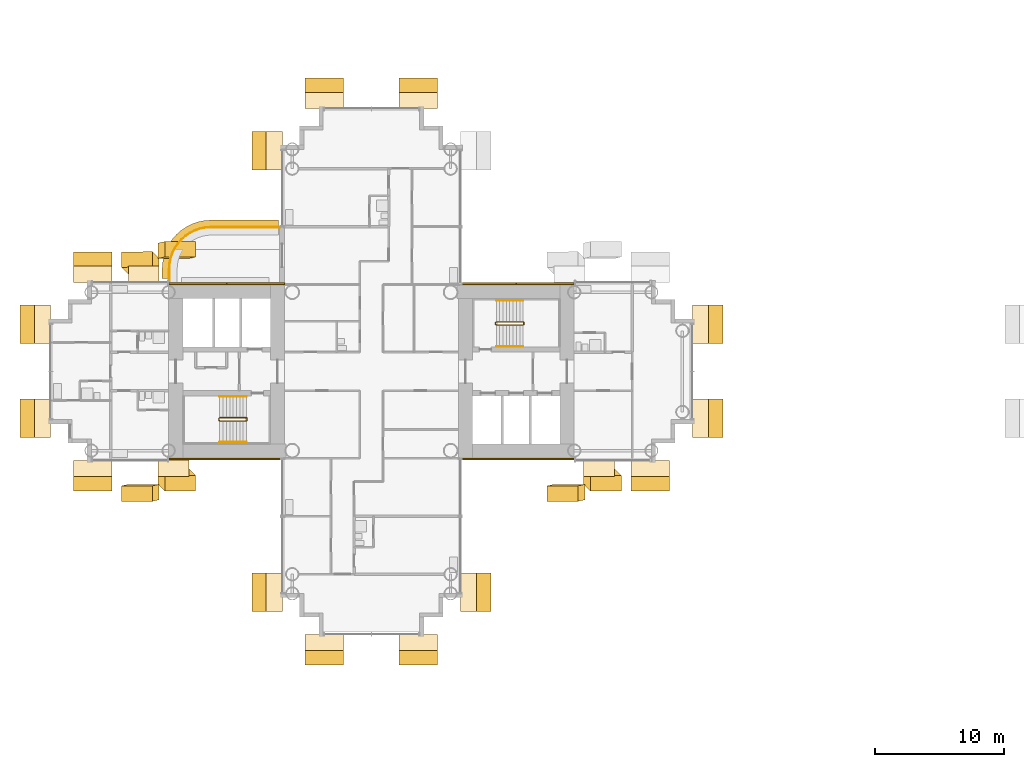
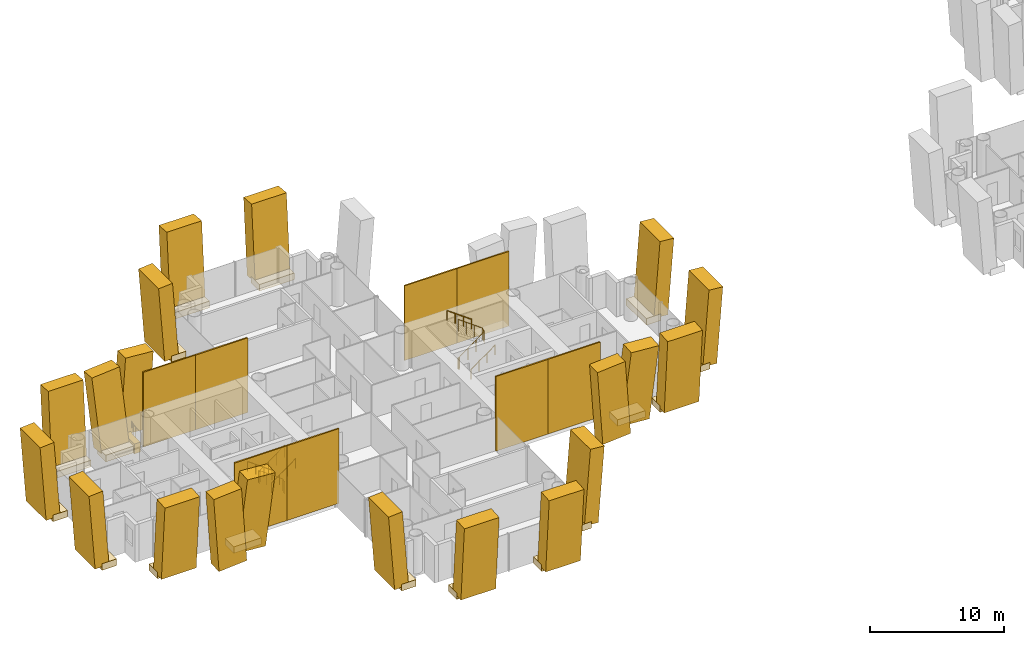
# One storey, part 22 of 25: 46 coverings, 7 railings.
"""IFC4 building model written with IfcOpenShell, lengths in metres."""

from ifc_helpers import new_model, si_unit, direction, frame, origin, origin_2d, place, context, subcontext, project, spatial, polyline, rectangle, circle, outline, extrude, material, layer, layer_set, material_profile, profile_set, type_object, element, save


model = new_model("IFC4")

# Units and contexts
model_context = context("Model", 3, precision=1e-05, world=origin(), true_north=direction((0.0, 1.0)))
body_context = subcontext(model_context, "Body", "Model", "MODEL_VIEW")
ifc_project = project(units=[si_unit("LENGTHUNIT", "METRE"), si_unit("AREAUNIT", "SQUARE_METRE"), si_unit("VOLUMEUNIT", "CUBIC_METRE"), si_unit("PLANEANGLEUNIT", "RADIAN"), si_unit("MASSUNIT", "GRAM", prefix="KILO")], contexts=[model_context])

# Site, building, storey
site_placement = place(None, origin())
site = spatial("IfcSite", under=ifc_project, at=site_placement, CompositionType="ELEMENT")
building_placement = place(site_placement, origin())
building = spatial("IfcBuilding", under=site, at=building_placement, Name="Ipe Terrace Towers", CompositionType="ELEMENT")
storey_placement = place(building_placement, frame((0.0, 0.0, 58.5)))
storey = spatial("IfcBuildingStorey", under=building, at=storey_placement, Name="L15", CompositionType="ELEMENT", Elevation=58.5)

# Railing
ifc_material_1 = material(Name="Stainless steel S316", Category="steel")
railing_type_1 = type_object("IfcRailingType", Name="GUARD 1100", PredefinedType="BALUSTRADE", material=ifc_material_1)
railing_1_placement = place(storey_placement, frame((-43.070068359375, 11.199951171875, -0.02001953125)))
element("IfcRailing", 1, at=railing_1_placement, inside=storey, type_object=railing_type_1, Name="guard", PredefinedType="BALUSTRADE", context=body_context, shape_type="SweptSolid", body=[
    extrude(circle(Radius=0.02392578125, at=origin_2d()), frame((0.0, 0.0, 1.076171875), z_axis=(-1.0, 0.0, 0.0), x_axis=(0.0, -1.0, 0.0)), (0.0, 0.0, 1.0), 5.3779296875),
    extrude(circle(Radius=0.02392578125, at=origin_2d()), frame((-5.3779296875, 0.0, 1.076171875), z_axis=(-0.997872833927, -0.065190546171, 0.0), x_axis=(0.065190546171, -0.997872833927, 0.0)), (0.0, 0.0, 1.0), 0.427001953125),
    extrude(circle(Radius=0.02392578125, at=origin_2d()), frame((-5.803955078125, -0.02783203125, 1.076171875), z_axis=(-0.980756958892, -0.195232649896, 0.0), x_axis=(0.195232649896, -0.980756958892, 0.0)), (0.0, 0.0, 1.0), 0.42529296875),
    extrude(circle(Radius=0.02392578125, at=origin_2d()), frame((-6.220947265625, -0.11083984375, 1.076171875), z_axis=(-0.947355280148, -0.320184280026, 0.0), x_axis=(0.320184280026, -0.947355280148, 0.0)), (0.0, 0.0, 1.0), 0.425537109375),
    extrude(circle(Radius=0.02392578125, at=origin_2d()), frame((-6.6240234375, -0.2470703125, 1.076171875), z_axis=(-0.895801099535, -0.444455160923, 0.0), x_axis=(0.444455160923, -0.895801099535, 0.0)), (0.0, 0.0, 1.0), 0.425048828125),
    extrude(circle(Radius=0.02392578125, at=origin_2d()), frame((-7.0048828125, -0.43603515625, 1.076171875), z_axis=(-0.83151910003, -0.55549616226, 0.0), x_axis=(0.55549616226, -0.83151910003, 0.0)), (0.0, 0.0, 1.0), 0.424560546875),
    extrude(circle(Radius=0.02392578125, at=origin_2d()), frame((-7.35791015625, -0.671875, 1.076171875), z_axis=(-0.752612255774, -0.658463964434, 0.0), x_axis=(0.658463964434, -0.752612255774, 0.0)), (0.0, 0.0, 1.0), 0.42529296875),
    extrude(circle(Radius=0.02392578125, at=origin_2d()), frame((-7.677978515625, -0.951904296875, 1.076171875), z_axis=(-0.658463964434, -0.752612255774, 0.0), x_axis=(0.752612255774, -0.658463964434, 0.0)), (0.0, 0.0, 1.0), 0.42529296875),
    extrude(circle(Radius=0.02392578125, at=origin_2d()), frame((-7.9580078125, -1.27197265625, 1.076171875), z_axis=(-0.55549616226, -0.83151910003, 0.0), x_axis=(0.83151910003, -0.55549616226, 0.0)), (0.0, 0.0, 1.0), 0.424560546875),
    extrude(circle(Radius=0.02392578125, at=origin_2d()), frame((-8.19384765625, -1.625, 1.076171875), z_axis=(-0.444455160923, -0.895801099535, 0.0), x_axis=(0.895801099535, -0.444455160923, 0.0)), (0.0, 0.0, 1.0), 0.425048828125),
    extrude(circle(Radius=0.02392578125, at=origin_2d()), frame((-8.3828125, -2.005859375, 1.076171875), z_axis=(-0.320184280026, -0.947355280148, 0.0), x_axis=(0.947355280148, -0.320184280026, 0.0)), (0.0, 0.0, 1.0), 0.425537109375),
    extrude(circle(Radius=0.02392578125, at=origin_2d()), frame((-8.51904296875, -2.408935546875, 1.076171875), z_axis=(-0.195232649896, -0.980756958892, 0.0), x_axis=(0.980756958892, -0.195232649896, 0.0)), (0.0, 0.0, 1.0), 0.42529296875),
    extrude(circle(Radius=0.02392578125, at=origin_2d()), frame((-8.60205078125, -2.825927734375, 1.076171875), z_axis=(-0.065190546171, -0.997872833927, 0.0), x_axis=(0.997872833927, -0.065190546171, 0.0)), (0.0, 0.0, 1.0), 0.427001953125),
    extrude(circle(Radius=0.02392578125, at=origin_2d()), frame((-8.6298828125, -3.251953125, 1.076171875), z_axis=(0.0, -1.0, 0.0), x_axis=(1.0, 0.0, 0.0)), (0.0, 0.0, 1.0), 0.8779296875),
    extrude(circle(Radius=0.02099609375, at=origin_2d()), origin(), (0.0, 0.0, 1.0), 1.052001953125),
    extrude(circle(Radius=0.02099609375, at=origin_2d()), frame((-1.07568359375, 0.0, 0.0)), (0.0, 0.0, 1.0), 1.052001953125),
    extrude(circle(Radius=0.02099609375, at=origin_2d()), frame((-2.151123046875, 0.0, 0.0)), (0.0, 0.0, 1.0), 1.052001953125),
    extrude(circle(Radius=0.02099609375, at=origin_2d()), frame((-3.226806640625, 0.0, 0.0)), (0.0, 0.0, 1.0), 1.052001953125),
    extrude(circle(Radius=0.02099609375, at=origin_2d()), frame((-4.30224609375, 0.0, 0.0)), (0.0, 0.0, 1.0), 1.052001953125),
    extrude(circle(Radius=0.02099609375, at=origin_2d()), frame((-5.3779296875, 0.0, 0.0)), (0.0, 0.0, 1.0), 1.052001953125),
    extrude(circle(Radius=0.02099609375, at=origin_2d()), frame((-5.803955078125, -0.02783203125, 0.0)), (0.0, 0.0, 1.0), 1.052001953125),
    extrude(circle(Radius=0.02099609375, at=origin_2d()), frame((-6.220947265625, -0.11083984375, 0.0)), (0.0, 0.0, 1.0), 1.052001953125),
    extrude(circle(Radius=0.02099609375, at=origin_2d()), frame((-6.6240234375, -0.2470703125, 0.0)), (0.0, 0.0, 1.0), 1.052001953125),
    extrude(circle(Radius=0.02099609375, at=origin_2d()), frame((-7.0048828125, -0.43603515625, 0.0)), (0.0, 0.0, 1.0), 1.052001953125),
    extrude(circle(Radius=0.02099609375, at=origin_2d()), frame((-7.35791015625, -0.671875, 0.0)), (0.0, 0.0, 1.0), 1.052001953125),
    extrude(circle(Radius=0.02099609375, at=origin_2d()), frame((-7.677978515625, -0.951904296875, 0.0)), (0.0, 0.0, 1.0), 1.052001953125),
    extrude(circle(Radius=0.02099609375, at=origin_2d()), frame((-7.9580078125, -1.27197265625, 0.0)), (0.0, 0.0, 1.0), 1.052001953125),
    extrude(circle(Radius=0.02099609375, at=origin_2d()), frame((-8.19384765625, -1.625, 0.0)), (0.0, 0.0, 1.0), 1.052001953125),
    extrude(circle(Radius=0.02099609375, at=origin_2d()), frame((-8.3828125, -2.005859375, 0.0)), (0.0, 0.0, 1.0), 1.052001953125),
    extrude(circle(Radius=0.02099609375, at=origin_2d()), frame((-8.51904296875, -2.408935546875, 0.0)), (0.0, 0.0, 1.0), 1.052001953125),
    extrude(circle(Radius=0.02099609375, at=origin_2d()), frame((-8.60205078125, -2.825927734375, 0.0)), (0.0, 0.0, 1.0), 1.052001953125),
    extrude(circle(Radius=0.02099609375, at=origin_2d()), frame((-8.6298828125, -3.251953125, 0.0)), (0.0, 0.0, 1.0), 1.052001953125),
    extrude(circle(Radius=0.02099609375, at=origin_2d()), frame((-8.6298828125, -4.1298828125, 0.0)), (0.0, 0.0, 1.0), 1.052001953125),
])

# Coverings
ifc_material_2 = material(Name="Concrete C50/60 precast, buff finish", Category="concrete")
ifc_layer_1 = layer(ifc_material_2, 0.1201171875)
ifc_layer_set_1 = layer_set([ifc_layer_1], Name="STONE CORE CLADDING 120")
covering_type_1 = type_object("IfcCoveringType", Name="STONE CORE CLADDING 120", PredefinedType="CLADDING", material=ifc_layer_set_1)
covering_1_placement = place(storey_placement, frame((-49.5009765625, -6.81005859375, 0.0), z_axis=(0.0, 0.0, 1.0), x_axis=(1.0, 0.0, 0.0)))
element("IfcCovering", 2, at=covering_1_placement, inside=storey, type_object=covering_type_1, Name="stone core cladding", PredefinedType="CLADDING", context=body_context, shape_type="SweptSolid", body=[
    extrude(rectangle(XDim=4.5009765625, YDim=0.1201171875, at=origin_2d()), origin(), (0.0, 0.0, 1.0), 6.800048828125),
])
covering_2_placement = place(storey_placement, frame((-45.0, -6.81005859375, 0.0), z_axis=(0.0, 0.0, 1.0), x_axis=(1.0, 0.0, 0.0)))
element("IfcCovering", 3, at=covering_2_placement, inside=storey, type_object=covering_type_1, Name="stone core cladding", PredefinedType="CLADDING", context=body_context, shape_type="SweptSolid", body=[
    extrude(rectangle(XDim=4.5, YDim=0.1201171875, at=origin_2d()), origin(), (0.0, 0.0, 1.0), 6.800048828125),
])
covering_3_placement = place(storey_placement, frame((-49.5009765625, 6.81005859375, 0.0), z_axis=(0.0, 0.0, 1.0), x_axis=(-1.0, 0.0, 0.0)))
element("IfcCovering", 4, at=covering_3_placement, inside=storey, type_object=covering_type_1, Name="stone core cladding", PredefinedType="CLADDING", context=body_context, shape_type="SweptSolid", body=[
    extrude(rectangle(XDim=4.5009765625, YDim=0.1201171875, at=origin_2d()), origin(), (0.0, 0.0, 1.0), 6.800048828125),
])
for number, where, z_axis, x_axis, name in (
    (5, (-45.0, 6.81005859375, 0.0), (0.0, 0.0, 1.0), (-1.0, 0.0, 0.0), "stone core cladding"),
    (6, (-27.0, -6.81005859375, 0.0), (0.0, 0.0, 1.0), (1.0, 0.0, 0.0), "stone core cladding"),
):
    element("IfcCovering", number, at=place(storey_placement, frame(where, z_axis=z_axis, x_axis=x_axis)), inside=storey, type_object=covering_type_1, Name=name, PredefinedType="CLADDING", context=body_context, shape_type="SweptSolid", body=[
        extrude(rectangle(XDim=4.5, YDim=0.1201171875, at=origin_2d()), origin(), (0.0, 0.0, 1.0), 6.800048828125),
    ])
covering_4_placement = place(storey_placement, frame((-22.4990234375, -6.81005859375, 0.0), z_axis=(0.0, 0.0, 1.0), x_axis=(1.0, 0.0, 0.0)))
element("IfcCovering", 7, at=covering_4_placement, inside=storey, type_object=covering_type_1, Name="stone core cladding", PredefinedType="CLADDING", context=body_context, shape_type="SweptSolid", body=[
    extrude(rectangle(XDim=4.5009765625, YDim=0.1201171875, at=origin_2d()), origin(), (0.0, 0.0, 1.0), 6.800048828125),
])
covering_5_placement = place(storey_placement, frame((-27.0, 6.81005859375, 0.0), z_axis=(0.0, 0.0, 1.0), x_axis=(-1.0, 0.0, 0.0)))
element("IfcCovering", 8, at=covering_5_placement, inside=storey, type_object=covering_type_1, Name="stone core cladding", PredefinedType="CLADDING", context=body_context, shape_type="SweptSolid", body=[
    extrude(rectangle(XDim=4.5, YDim=0.1201171875, at=origin_2d()), origin(), (0.0, 0.0, 1.0), 6.800048828125),
])
covering_6_placement = place(storey_placement, frame((-22.4990234375, 6.81005859375, 0.0), z_axis=(0.0, 0.0, 1.0), x_axis=(-1.0, 0.0, 0.0)))
element("IfcCovering", 9, at=covering_6_placement, inside=storey, type_object=covering_type_1, Name="stone core cladding", PredefinedType="CLADDING", context=body_context, shape_type="SweptSolid", body=[
    extrude(rectangle(XDim=4.5009765625, YDim=0.1201171875, at=origin_2d()), origin(), (0.0, 0.0, 1.0), 6.800048828125),
])
ifc_material_3 = material(Name="Concrete C50/60 precast, buff finish", Category="concrete")
ifc_layer_2 = layer(ifc_material_3, 0.5)
ifc_layer_set_2 = layer_set([ifc_layer_2], Name="STONE EDGE BAND 500 x 900")
covering_type_2 = type_object("IfcCoveringType", Name="STONE EDGE BAND 500 x 900", PredefinedType="CLADDING", material=ifc_layer_set_2)
covering_7_placement = place(storey_placement, frame((0.0, 0.0, -0.719970703125)))
element("IfcCovering", 10, at=covering_7_placement, inside=storey, type_object=covering_type_2, Name="stone edge band", PredefinedType="CLADDING", context=body_context, shape_type="SweptSolid", body=[
    extrude(outline(polyline([(-48.449951171875, 11.75), (-48.48291015625, 11.7490234375), (-48.9130859375, 11.720947265625), (-48.97802734375, 11.7119140625), (-49.402099609375, 11.6279296875), (-49.465087890625, 11.611083984375), (-49.8740234375, 11.471923828125), (-49.93408203125, 11.447021484375), (-50.321044921875, 11.256103515625), (-50.3779296875, 11.22412109375), (-50.737060546875, 10.98388671875), (-50.7890625, 10.944091796875), (-51.113037109375, 10.658935546875), (-51.158935546875, 10.613037109375), (-51.444091796875, 10.2890625), (-51.48388671875, 10.237060546875), (-51.72412109375, 9.8779296875), (-51.756103515625, 9.821044921875), (-51.947021484375, 9.43408203125), (-51.971923828125, 9.3740234375), (-52.111083984375, 8.965087890625), (-52.1279296875, 8.902099609375), (-52.2119140625, 8.47802734375), (-52.220947265625, 8.4130859375), (-52.2490234375, 7.98291015625), (-52.25, 7.949951171875), (-52.25, 7.199951171875), (-51.75, 7.199951171875), (-51.75, 7.949951171875), (-51.721923828125, 8.381103515625), (-51.637939453125, 8.803955078125), (-51.4990234375, 9.212890625), (-51.30810546875, 9.60009765625), (-51.068115234375, 9.958984375), (-50.782958984375, 10.282958984375), (-50.458984375, 10.568115234375), (-50.10009765625, 10.80810546875), (-49.712890625, 10.9990234375), (-49.303955078125, 11.137939453125), (-48.881103515625, 11.221923828125), (-48.449951171875, 11.25), (-43.199951171875, 11.25), (-43.199951171875, 11.75), (-48.449951171875, 11.75)])), origin(), (0.0, 0.0, 1.0), 0.89990234375),
])
ifc_material_4 = material(Name="Concrete C50/60 precast, buff finish", Category="concrete")
ifc_material_profile_1 = material_profile(ifc_material_4, rectangle(XDim=2.39990234375, YDim=1.199951171875, at=origin_2d()), Name="STONE FIN 2400 x 1200")
ifc_profile_set_1 = profile_set([ifc_material_profile_1], Name="Concrete C50/60 precast, buff finish")
covering_type_3 = type_object("IfcCoveringType", Name="STONE FIN 2400 x 1200", PredefinedType="USERDEFINED", material=ifc_profile_set_1)
covering_8_placement = place(storey_placement, frame((-20.6298828125, -9.368896484375, 0.0), z_axis=(-0.077128363421, -0.017322565149, 0.996870675811), x_axis=(0.997021171067, -0.001340052882, 0.077116721289)))
element("IfcCovering", 11, at=covering_8_placement, inside=storey, type_object=covering_type_3, Name="stone fin", ObjectType="FIN", PredefinedType="USERDEFINED", context=body_context, shape_type="SweptSolid", body=[
    extrude(rectangle(XDim=2.39990234375, YDim=1.199951171875, at=origin_2d()), origin(), (0.0, 0.0, 1.0), 6.8212890625),
])
covering_9_placement = place(storey_placement, frame((-18.320068359375, -8.1689453125, 0.0), z_axis=(0.076913129841, -0.076627605461, 0.994088819241), x_axis=(0.997037797908, 0.005911179067, -0.076685640794)))
element("IfcCovering", 12, at=covering_9_placement, inside=storey, type_object=covering_type_3, Name="stone fin", ObjectType="FIN", PredefinedType="USERDEFINED", context=body_context, shape_type="SweptSolid", body=[
    extrude(rectangle(XDim=2.39990234375, YDim=1.199951171875, at=origin_2d()), origin(), (0.0, 0.0, 1.0), 6.840576171875),
])
covering_10_placement = place(storey_placement, frame((-53.679931640625, -9.368896484375, 0.0), z_axis=(-0.077128363421, -0.017322565149, 0.996870675811), x_axis=(0.997021171067, -0.001340052882, 0.077116721289)))
element("IfcCovering", 13, at=covering_10_placement, inside=storey, type_object=covering_type_3, Name="stone fin", ObjectType="FIN", PredefinedType="USERDEFINED", context=body_context, shape_type="SweptSolid", body=[
    extrude(rectangle(XDim=2.39990234375, YDim=1.199951171875, at=origin_2d()), origin(), (0.0, 0.0, 1.0), 6.8212890625),
])
for number, where, z_axis, x_axis, name in (
    (14, (-53.679931640625, 8.1689453125, 0.0), (-0.076913129841, 0.076627605461, 0.994088819241), (-0.997037797908, -0.005911179067, -0.076685640794), "stone fin"),
    (15, (-51.3701171875, -8.1689453125, 0.0), (0.076913129841, -0.076627605461, 0.994088819241), (0.997037797908, 0.005911179067, -0.076685640794), "stone fin"),
):
    element("IfcCovering", number, at=place(storey_placement, frame(where, z_axis=z_axis, x_axis=x_axis)), inside=storey, type_object=covering_type_3, Name=name, ObjectType="FIN", PredefinedType="USERDEFINED", context=body_context, shape_type="SweptSolid", body=[
        extrude(rectangle(XDim=2.39990234375, YDim=1.199951171875, at=origin_2d()), origin(), (0.0, 0.0, 1.0), 6.840576171875),
    ])
covering_11_placement = place(storey_placement, frame((-51.3701171875, 9.368896484375, 0.0), z_axis=(0.077128363421, 0.017322565149, 0.996870675811), x_axis=(-0.997021171067, 0.001340052882, 0.077116721289)))
element("IfcCovering", 16, at=covering_11_placement, inside=storey, type_object=covering_type_3, Name="stone fin", ObjectType="FIN", PredefinedType="USERDEFINED", context=body_context, shape_type="SweptSolid", body=[
    extrude(rectangle(XDim=2.39990234375, YDim=1.199951171875, at=origin_2d()), origin(), (0.0, 0.0, 1.0), 6.8212890625),
])
ifc_material_5 = material(Name="Concrete C50/60 precast, buff finish", Category="concrete")
ifc_material_profile_2 = material_profile(ifc_material_5, rectangle(XDim=3.0, YDim=1.199951171875, at=origin_2d()), Name="STONE FIN CORNER 3000 x 1200")
ifc_profile_set_2 = profile_set([ifc_material_profile_2], Name="Concrete C50/60 precast, buff finish")
covering_type_4 = type_object("IfcCoveringType", Name="STONE FIN CORNER 3000 x 1200", PredefinedType="USERDEFINED", material=ifc_profile_set_2)
for number, where, z_axis, x_axis, name in (
    (17, (-9.8310546875, -3.64990234375, 0.0), (0.076855266292, 0.0, 0.997042259908), (0.0, 1.0, 0.0), "stone fin"),
    (18, (-9.8310546875, 3.64990234375, 0.0), (0.076855266292, 0.0, 0.997042259908), (0.0, 1.0, 0.0), "stone fin"),
    (19, (-14.35009765625, -8.1689453125, 0.0), (0.0, -0.076855266292, 0.997042259908), (1.0, 0.0, 0.0), "stone fin"),
    (20, (-27.8310546875, -17.14990234375, 0.0), (0.076855266292, 0.0, 0.997042259908), (0.0, 1.0, 0.0), "stone fin"),
    (21, (-32.35009765625, -21.6689453125, 0.0), (0.0, -0.076855266292, 0.997042259908), (1.0, 0.0, 0.0), "stone fin"),
    (22, (-32.35009765625, 21.6689453125, 0.0), (0.0, 0.076855266292, 0.997042259908), (-1.0, 0.0, 0.0), "stone fin"),
    (23, (-39.64990234375, -21.6689453125, 0.0), (0.0, -0.076855266292, 0.997042259908), (1.0, 0.0, 0.0), "stone fin"),
    (24, (-39.64990234375, 21.6689453125, 0.0), (0.0, 0.076855266292, 0.997042259908), (-1.0, 0.0, 0.0), "stone fin"),
    (25, (-44.1689453125, -17.14990234375, 0.0), (-0.076855266292, 0.0, 0.997042259908), (0.0, -1.0, 0.0), "stone fin"),
    (26, (-44.1689453125, 17.14990234375, 0.0), (-0.076855266292, 0.0, 0.997042259908), (0.0, -1.0, 0.0), "stone fin"),
    (27, (-57.64990234375, -8.1689453125, 0.0), (0.0, -0.076855266292, 0.997042259908), (1.0, 0.0, 0.0), "stone fin"),
    (28, (-57.64990234375, 8.1689453125, 0.0), (0.0, 0.076855266292, 0.997042259908), (-1.0, 0.0, 0.0), "stone fin"),
    (29, (-62.1689453125, -3.64990234375, 0.0), (-0.076855266292, 0.0, 0.997042259908), (0.0, -1.0, 0.0), "stone fin"),
    (30, (-62.1689453125, 3.64990234375, 0.0), (-0.076855266292, 0.0, 0.997042259908), (0.0, -1.0, 0.0), "stone fin"),
):
    element("IfcCovering", number, at=place(storey_placement, frame(where, z_axis=z_axis, x_axis=x_axis)), inside=storey, type_object=covering_type_4, Name=name, ObjectType="FIN", PredefinedType="USERDEFINED", context=body_context, shape_type="SweptSolid", body=[
        extrude(rectangle(XDim=3.0, YDim=1.199951171875, at=origin_2d()), origin(), (0.0, 0.0, 1.0), 6.8203125),
    ])
ifc_material_6 = material(Name="Concrete C50/60 precast, buff finish", Category="concrete")
covering_type_5 = type_object("IfcCoveringType", Name="STONE FIN SHELF 2400 x 600", PredefinedType="CLADDING", material=ifc_material_6)
for number, where, z_axis, x_axis, name in (
    (31, (-18.320068359375, -7.54296875, -0.35009765625), (0.0, 0.0, 1.0), (1.0, 0.0, 0.0), "stone fin shelf"),
    (32, (-53.679931640625, 7.54296875, -0.35009765625), (0.0, 0.0, 1.0), (-1.0, 0.0, 0.0), "stone fin shelf"),
):
    element("IfcCovering", number, at=place(storey_placement, frame(where, z_axis=z_axis, x_axis=x_axis)), inside=storey, type_object=covering_type_5, Name=name, PredefinedType="CLADDING", context=body_context, shape_type="SweptSolid", body=[
        extrude(rectangle(XDim=2.39990234375, YDim=1.2529296875, at=origin_2d()), origin(), (0.0, 0.0, 1.0), 0.60009765625),
    ])
covering_12_placement = place(storey_placement, frame((-51.3701171875, -7.513916015625, -0.35009765625), z_axis=(0.0, 0.0, 1.0), x_axis=(1.0, 0.0, 0.0)))
element("IfcCovering", 33, at=covering_12_placement, inside=storey, type_object=covering_type_5, Name="stone fin shelf", PredefinedType="CLADDING", context=body_context, shape_type="SweptSolid", body=[
    extrude(rectangle(XDim=2.39990234375, YDim=1.30908203125, at=origin_2d()), origin(), (0.0, 0.0, 1.0), 0.60009765625),
])
ifc_material_7 = material(Name="Concrete C50/60 precast, buff finish", Category="concrete")
covering_type_6 = type_object("IfcCoveringType", Name="STONE FIN SHELF 3000 x 600", PredefinedType="CLADDING", material=ifc_material_7)
for number, where, z_axis, x_axis, name in (
    (34, (-10.45703125, -3.64990234375, -0.35009765625), (0.0, 0.0, 1.0), (0.0, 1.0, 0.0), "stone fin shelf"),
    (35, (-10.45703125, 3.64990234375, -0.35009765625), (0.0, 0.0, 1.0), (0.0, 1.0, 0.0), "stone fin shelf"),
    (36, (-14.35009765625, -7.54296875, -0.35009765625), (0.0, 0.0, 1.0), (1.0, 0.0, 0.0), "stone fin shelf"),
    (37, (-28.45703125, -17.14990234375, -0.35009765625), (0.0, 0.0, 1.0), (0.0, 1.0, 0.0), "stone fin shelf"),
    (38, (-32.35009765625, -21.04296875, -0.35009765625), (0.0, 0.0, 1.0), (1.0, 0.0, 0.0), "stone fin shelf"),
    (39, (-32.35009765625, 21.04296875, -0.35009765625), (0.0, 0.0, 1.0), (-1.0, 0.0, 0.0), "stone fin shelf"),
    (40, (-39.64990234375, -21.04296875, -0.35009765625), (0.0, 0.0, 1.0), (1.0, 0.0, 0.0), "stone fin shelf"),
    (41, (-39.64990234375, 21.04296875, -0.35009765625), (0.0, 0.0, 1.0), (-1.0, 0.0, 0.0), "stone fin shelf"),
    (42, (-43.5419921875, -17.14990234375, -0.35009765625), (0.0, 0.0, 1.0), (0.0, -1.0, 0.0), "stone fin shelf"),
    (43, (-43.5419921875, 17.14990234375, -0.35009765625), (0.0, 0.0, 1.0), (0.0, -1.0, 0.0), "stone fin shelf"),
    (44, (-57.64990234375, -7.54296875, -0.35009765625), (0.0, 0.0, 1.0), (1.0, 0.0, 0.0), "stone fin shelf"),
    (45, (-57.64990234375, 7.54296875, -0.35009765625), (0.0, 0.0, 1.0), (-1.0, 0.0, 0.0), "stone fin shelf"),
    (46, (-61.5419921875, -3.64990234375, -0.35009765625), (0.0, 0.0, 1.0), (0.0, -1.0, 0.0), "stone fin shelf"),
    (47, (-61.5419921875, 3.64990234375, -0.35009765625), (0.0, 0.0, 1.0), (0.0, -1.0, 0.0), "stone fin shelf"),
):
    element("IfcCovering", number, at=place(storey_placement, frame(where, z_axis=z_axis, x_axis=x_axis)), inside=storey, type_object=covering_type_6, Name=name, PredefinedType="CLADDING", context=body_context, shape_type="SweptSolid", body=[
        extrude(rectangle(XDim=3.0, YDim=1.2529296875, at=origin_2d()), origin(), (0.0, 0.0, 1.0), 0.60009765625),
    ])

# Railings
ifc_material_8 = material(Name="Steel S355", Category="steel")
railing_type_2 = type_object("IfcRailingType", Name="Stair guard 1100", PredefinedType="GUARDRAIL", material=ifc_material_8)
railing_2_placement = place(storey_placement, frame((-26.35009765625, 3.800048828125, 0.0)))
element("IfcRailing", 48, at=railing_2_placement, inside=storey, type_object=railing_type_2, Name="L15 T1-ST1 stair guard 1", PredefinedType="GUARDRAIL", context=body_context, shape_type="SweptSolid", body=[
    extrude(circle(Radius=0.02392578125, at=origin_2d()), frame((0.0, 0.0, 1.076171875), z_axis=(0.0, -1.0, 0.0), x_axis=(1.0, 0.0, 0.0)), (0.0, 0.0, 1.0), 0.150146484375),
    extrude(circle(Radius=0.02392578125, at=origin_2d()), frame((0.0, -0.150146484375, 1.076171875), z_axis=(0.248103849378, -0.246893586699, 0.936743314239), x_axis=(0.705375805398, 0.708833529934, 0.0)), (0.0, 0.0, 1.0), 0.20166015625),
    extrude(circle(Radius=0.02392578125, at=origin_2d()), frame((0.050048828125, -0.199951171875, 1.26513671875), z_axis=(0.809068575486, 0.0, 0.587714250432), x_axis=(0.0, 1.0, 0.0)), (0.0, 0.0, 1.0), 2.571044921875),
    extrude(circle(Radius=0.02392578125, at=origin_2d()), frame((2.130126953125, -0.199951171875, 2.77587890625), z_axis=(0.708833529934, 0.705375805398, 0.0), x_axis=(-0.705375805398, 0.708833529934, 0.0)), (0.0, 0.0, 1.0), 0.070556640625),
    extrude(circle(Radius=0.02392578125, at=origin_2d()), frame((2.18017578125, -0.150146484375, 2.77587890625), z_axis=(0.0, 1.0, 0.0), x_axis=(-1.0, 0.0, 0.0)), (0.0, 0.0, 1.0), 0.150146484375),
    extrude(circle(Radius=0.02392578125, at=origin_2d()), frame((2.18017578125, 0.0, 2.77587890625), z_axis=(-0.248029566107, 0.248029566107, 0.936462849596), x_axis=(-0.707106781187, -0.707106781187, 0.0)), (0.0, 0.0, 1.0), 0.201904296875),
    extrude(circle(Radius=0.02392578125, at=origin_2d()), frame((2.130126953125, 0.050048828125, 2.96484375), z_axis=(-0.809068575486, 0.0, 0.587714250432), x_axis=(0.0, -1.0, 0.0)), (0.0, 0.0, 1.0), 2.571044921875),
    extrude(circle(Radius=0.02099609375, at=origin_2d()), origin(), (0.0, 0.0, 1.0), 1.052001953125),
    extrude(circle(Radius=0.02099609375, at=origin_2d()), frame((0.0, -0.150146484375, 0.0)), (0.0, 0.0, 1.0), 1.052001953125),
    extrude(circle(Radius=0.02099609375, at=origin_2d()), frame((0.050048828125, -0.199951171875, 0.18896484375)), (0.0, 0.0, 1.0), 1.052001953125),
    extrude(circle(Radius=0.02099609375, at=origin_2d()), frame((0.743408203125, -0.199951171875, 0.692626953125)), (0.0, 0.0, 1.0), 1.052001953125),
    extrude(circle(Radius=0.02099609375, at=origin_2d()), frame((1.436767578125, -0.199951171875, 1.1962890625)), (0.0, 0.0, 1.0), 1.052001953125),
    extrude(circle(Radius=0.02099609375, at=origin_2d()), frame((2.130126953125, -0.199951171875, 1.699951171875)), (0.0, 0.0, 1.0), 1.052001953125),
    extrude(circle(Radius=0.02099609375, at=origin_2d()), frame((2.18017578125, -0.150146484375, 1.699951171875)), (0.0, 0.0, 1.0), 1.052001953125),
    extrude(circle(Radius=0.02099609375, at=origin_2d()), frame((2.18017578125, 0.0, 1.699951171875)), (0.0, 0.0, 1.0), 1.052001953125),
    extrude(circle(Radius=0.02099609375, at=origin_2d()), frame((2.130126953125, 0.050048828125, 1.888916015625)), (0.0, 0.0, 1.0), 1.052001953125),
    extrude(circle(Radius=0.02099609375, at=origin_2d()), frame((1.436767578125, 0.050048828125, 2.392578125)), (0.0, 0.0, 1.0), 1.052001953125),
    extrude(circle(Radius=0.02099609375, at=origin_2d()), frame((0.743408203125, 0.050048828125, 2.896240234375)), (0.0, 0.0, 1.0), 1.052001953125),
    extrude(circle(Radius=0.02099609375, at=origin_2d()), frame((0.050048828125, 0.050048828125, 3.39990234375)), (0.0, 0.0, 1.0), 1.052001953125),
])
railing_3_placement = place(storey_placement, frame((-45.64990234375, -3.800048828125, 0.0)))
element("IfcRailing", 49, at=railing_3_placement, inside=storey, type_object=railing_type_2, Name="L15 T1-ST2 stair guard 1", PredefinedType="GUARDRAIL", context=body_context, shape_type="SweptSolid", body=[
    extrude(circle(Radius=0.02392578125, at=origin_2d()), frame((0.0, 0.0, 1.076171875), z_axis=(0.0, 1.0, 0.0), x_axis=(-1.0, 0.0, 0.0)), (0.0, 0.0, 1.0), 0.150146484375),
    extrude(circle(Radius=0.02392578125, at=origin_2d()), frame((0.0, 0.150146484375, 1.076171875), z_axis=(-0.248103849378, 0.246893586699, 0.936743314239), x_axis=(-0.705375805398, -0.708833529934, 0.0)), (0.0, 0.0, 1.0), 0.20166015625),
    extrude(circle(Radius=0.02392578125, at=origin_2d()), frame((-0.050048828125, 0.199951171875, 1.26513671875), z_axis=(-0.809068575486, 0.0, 0.587714250432), x_axis=(0.0, -1.0, 0.0)), (0.0, 0.0, 1.0), 2.571044921875),
    extrude(circle(Radius=0.02392578125, at=origin_2d()), frame((-2.130126953125, 0.199951171875, 2.77587890625), z_axis=(-0.708833529934, -0.705375805398, 0.0), x_axis=(0.705375805398, -0.708833529934, 0.0)), (0.0, 0.0, 1.0), 0.070556640625),
    extrude(circle(Radius=0.02392578125, at=origin_2d()), frame((-2.18017578125, 0.150146484375, 2.77587890625), z_axis=(0.0, -1.0, 0.0), x_axis=(1.0, 0.0, 0.0)), (0.0, 0.0, 1.0), 0.150146484375),
    extrude(circle(Radius=0.02392578125, at=origin_2d()), frame((-2.18017578125, 0.0, 2.77587890625), z_axis=(0.248029566107, -0.248029566107, 0.936462849596), x_axis=(0.707106781187, 0.707106781187, 0.0)), (0.0, 0.0, 1.0), 0.201904296875),
    extrude(circle(Radius=0.02392578125, at=origin_2d()), frame((-2.130126953125, -0.050048828125, 2.96484375), z_axis=(0.809068575486, 0.0, 0.587714250432), x_axis=(0.0, 1.0, 0.0)), (0.0, 0.0, 1.0), 2.571044921875),
    extrude(circle(Radius=0.02099609375, at=origin_2d()), origin(), (0.0, 0.0, 1.0), 1.052001953125),
    extrude(circle(Radius=0.02099609375, at=origin_2d()), frame((0.0, 0.150146484375, 0.0)), (0.0, 0.0, 1.0), 1.052001953125),
    extrude(circle(Radius=0.02099609375, at=origin_2d()), frame((-0.050048828125, 0.199951171875, 0.18896484375)), (0.0, 0.0, 1.0), 1.052001953125),
    extrude(circle(Radius=0.02099609375, at=origin_2d()), frame((-0.743408203125, 0.199951171875, 0.692626953125)), (0.0, 0.0, 1.0), 1.052001953125),
    extrude(circle(Radius=0.02099609375, at=origin_2d()), frame((-1.436767578125, 0.199951171875, 1.1962890625)), (0.0, 0.0, 1.0), 1.052001953125),
    extrude(circle(Radius=0.02099609375, at=origin_2d()), frame((-2.130126953125, 0.199951171875, 1.699951171875)), (0.0, 0.0, 1.0), 1.052001953125),
    extrude(circle(Radius=0.02099609375, at=origin_2d()), frame((-2.18017578125, 0.150146484375, 1.699951171875)), (0.0, 0.0, 1.0), 1.052001953125),
    extrude(circle(Radius=0.02099609375, at=origin_2d()), frame((-2.18017578125, 0.0, 1.699951171875)), (0.0, 0.0, 1.0), 1.052001953125),
    extrude(circle(Radius=0.02099609375, at=origin_2d()), frame((-2.130126953125, -0.050048828125, 1.888916015625)), (0.0, 0.0, 1.0), 1.052001953125),
    extrude(circle(Radius=0.02099609375, at=origin_2d()), frame((-1.436767578125, -0.050048828125, 2.392578125)), (0.0, 0.0, 1.0), 1.052001953125),
    extrude(circle(Radius=0.02099609375, at=origin_2d()), frame((-0.743408203125, -0.050048828125, 2.896240234375)), (0.0, 0.0, 1.0), 1.052001953125),
    extrude(circle(Radius=0.02099609375, at=origin_2d()), frame((-0.050048828125, -0.050048828125, 3.39990234375)), (0.0, 0.0, 1.0), 1.052001953125),
])
ifc_material_9 = material(Name="Stainless steel grade 304", Category="steel")
railing_type_3 = type_object("IfcRailingType", Name="Stair handrail 900", PredefinedType="HANDRAIL", material=ifc_material_9)
railing_4_placement = place(storey_placement, frame((-26.300048828125, 1.949951171875, 0.18896484375)))
element("IfcRailing", 50, at=railing_4_placement, inside=storey, type_object=railing_type_3, Name="L15 T1-ST1 stair handrail 1", PredefinedType="HANDRAIL", context=body_context, shape_type="SweptSolid", body=[
    extrude(circle(Radius=0.02392578125, at=origin_2d()), frame((0.0, 0.0, 0.8759765625), z_axis=(0.809068575486, 0.0, 0.587714250432), x_axis=(0.0, 1.0, 0.0)), (0.0, 0.0, 1.0), 2.571044921875),
    extrude(circle(Radius=0.02099609375, at=origin_2d()), origin(), (0.0, 0.0, 1.0), 0.851806640625),
    extrude(circle(Radius=0.02099609375, at=origin_2d()), frame((0.693359375, 0.0, 0.503662109375)), (0.0, 0.0, 1.0), 0.851806640625),
    extrude(circle(Radius=0.02099609375, at=origin_2d()), frame((1.38671875, 0.0, 1.00732421875)), (0.0, 0.0, 1.0), 0.851806640625),
    extrude(circle(Radius=0.02099609375, at=origin_2d()), frame((2.080078125, 0.0, 1.510986328125)), (0.0, 0.0, 1.0), 0.851806640625),
])
for number, where, name in (
    (51, (-24.219970703125, 5.5, 1.888916015625), "L15 T1-ST1 stair handrail 2"),
    (52, (-45.699951171875, -1.949951171875, 0.18896484375), "L15 T1-ST2 stair handrail 1"),
):
    element("IfcRailing", number, at=place(storey_placement, frame(where)), inside=storey, type_object=railing_type_3, Name=name, PredefinedType="HANDRAIL", context=body_context, shape_type="SweptSolid", body=[
        extrude(circle(Radius=0.02392578125, at=origin_2d()), frame((0.0, 0.0, 0.8759765625), z_axis=(-0.809068575486, 0.0, 0.587714250432), x_axis=(0.0, -1.0, 0.0)), (0.0, 0.0, 1.0), 2.571044921875),
        extrude(circle(Radius=0.02099609375, at=origin_2d()), origin(), (0.0, 0.0, 1.0), 0.851806640625),
        extrude(circle(Radius=0.02099609375, at=origin_2d()), frame((-0.693359375, 0.0, 0.503662109375)), (0.0, 0.0, 1.0), 0.851806640625),
        extrude(circle(Radius=0.02099609375, at=origin_2d()), frame((-1.38671875, 0.0, 1.00732421875)), (0.0, 0.0, 1.0), 0.851806640625),
        extrude(circle(Radius=0.02099609375, at=origin_2d()), frame((-2.080078125, 0.0, 1.510986328125)), (0.0, 0.0, 1.0), 0.851806640625),
    ])
railing_5_placement = place(storey_placement, frame((-47.780029296875, -5.5, 1.888916015625)))
element("IfcRailing", 53, at=railing_5_placement, inside=storey, type_object=railing_type_3, Name="L15 T1-ST2 stair handrail 2", PredefinedType="HANDRAIL", context=body_context, shape_type="SweptSolid", body=[
    extrude(circle(Radius=0.02392578125, at=origin_2d()), frame((0.0, 0.0, 0.8759765625), z_axis=(0.809068575486, 0.0, 0.587714250432), x_axis=(0.0, 1.0, 0.0)), (0.0, 0.0, 1.0), 2.571044921875),
    extrude(circle(Radius=0.02099609375, at=origin_2d()), origin(), (0.0, 0.0, 1.0), 0.851806640625),
    extrude(circle(Radius=0.02099609375, at=origin_2d()), frame((0.693359375, 0.0, 0.503662109375)), (0.0, 0.0, 1.0), 0.851806640625),
    extrude(circle(Radius=0.02099609375, at=origin_2d()), frame((1.38671875, 0.0, 1.00732421875)), (0.0, 0.0, 1.0), 0.851806640625),
    extrude(circle(Radius=0.02099609375, at=origin_2d()), frame((2.080078125, 0.0, 1.510986328125)), (0.0, 0.0, 1.0), 0.851806640625),
])

save(model, "model.ifc")
